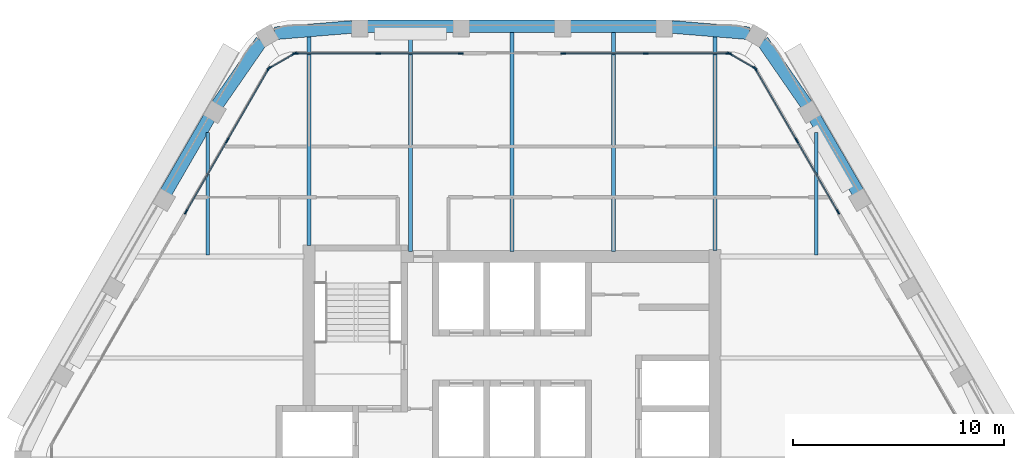
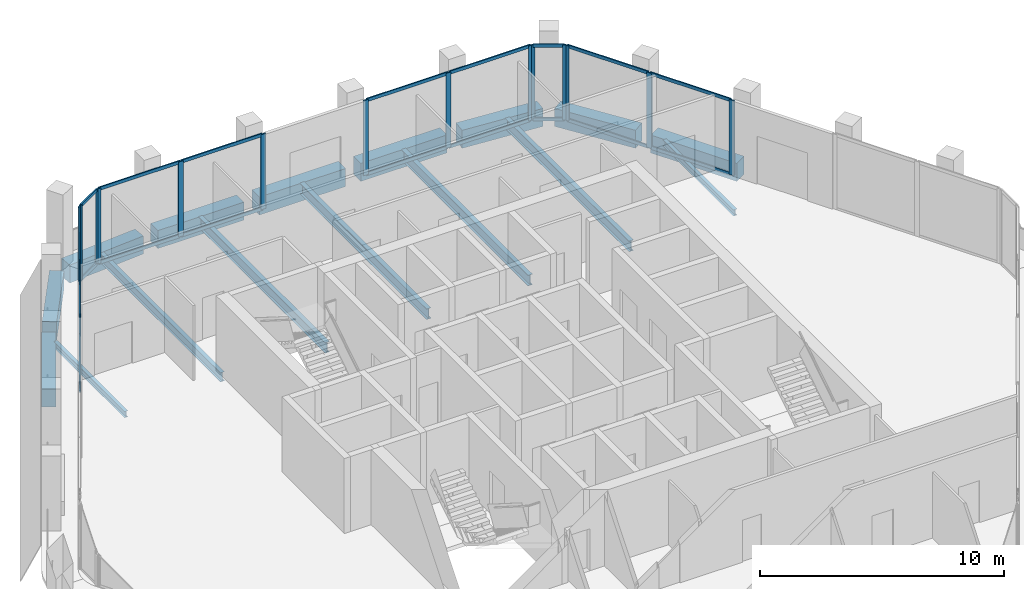
# One storey, part 5 of 14: 36 members, 16 beams, 6 elements without a shape of their own.
"""IFC4 building model written with IfcOpenShell, lengths in metres."""

from ifc_helpers import new_model, si_unit, direction, frame, origin, origin_2d, place, context, subcontext, project, spatial, rectangle, i_section, extrude, material, material_profile, profile_set, type_object, element, aggregate, save


model = new_model("IFC4")

# Units and contexts
model_context = context("Model", 3, precision=1e-05, world=origin(), true_north=direction((0.0, 1.0)))
body_context = subcontext(model_context, "Body", "Model", "MODEL_VIEW")
ifc_project = project(units=[si_unit("LENGTHUNIT", "METRE"), si_unit("AREAUNIT", "SQUARE_METRE"), si_unit("VOLUMEUNIT", "CUBIC_METRE"), si_unit("PLANEANGLEUNIT", "RADIAN"), si_unit("MASSUNIT", "GRAM", prefix="KILO")], contexts=[model_context])

# Site, building, storey
site_placement = place(None, origin())
site = spatial("IfcSite", under=ifc_project, at=site_placement, CompositionType="ELEMENT")
building_placement = place(site_placement, origin())
building = spatial("IfcBuilding", under=site, at=building_placement, Name="Kolab Exchange Tower", CompositionType="ELEMENT")
storey_placement = place(building_placement, frame((0.0, 0.0, 242.300048828125)))
storey = spatial("IfcBuildingStorey", under=building, at=storey_placement, Name="L53", CompositionType="ELEMENT", Elevation=242.300048828125)

# Beams
ifc_material_1 = material(Name="Steel S355", Category="steel")
ifc_material_profile_1 = material_profile(ifc_material_1, i_section(OverallWidth=0.1650390625, OverallDepth=0.31005859375, WebThickness=0.005859375, FlangeThickness=0.009765625, at=origin_2d()), Name="W310X39")
ifc_profile_set_1 = profile_set([ifc_material_profile_1], Name="Steel S355")
beam_type_1 = type_object("IfcBeamType", Name="FLOOR BEAM W310X39", PredefinedType="BEAM", material=ifc_profile_set_1)
for number, where, z_axis, x_axis, name in (
    (1, (-14.39990234375, 9.674072265625, -0.304931640625), (0.0, 1.0, 0.0), (-1.0, 0.0, 0.0), "beam/L53/fr/004"),
    (2, (14.39990234375, 9.674072265625, -0.304931640625), (0.0, 1.0, 0.0), (-1.0, 0.0, 0.0), "beam/L53/fr/019"),
):
    element("IfcBeam", number, at=place(storey_placement, frame(where, z_axis=z_axis, x_axis=x_axis)), inside=storey, type_object=beam_type_1, Name=name, PredefinedType="BEAM", context=body_context, shape_type="SweptSolid", body=[
        extrude(i_section(OverallWidth=0.1650390625, OverallDepth=0.31005859375, WebThickness=0.005859375, FlangeThickness=0.009765625, at=origin_2d()), origin(), (0.0, 0.0, 1.0), 5.793701171875),
    ])
ifc_material_profile_2 = material_profile(ifc_material_1, i_section(OverallWidth=0.18994140625, OverallDepth=0.45703125, WebThickness=0.009033203125, FlangeThickness=0.014404296875, at=origin_2d()), Name="W460X74")
ifc_profile_set_2 = profile_set([ifc_material_profile_2], Name="Steel S355")
beam_type_2 = type_object("IfcBeamType", Name="FLOOR BEAM W460X74", PredefinedType="BEAM", material=ifc_profile_set_2)
beam_1_placement = place(storey_placement, frame((-9.60009765625, 10.110107421875, -0.378662109375), z_axis=(0.0, 1.0, 0.0), x_axis=(-1.0, 0.0, 0.0)))
element("IfcBeam", 3, at=beam_1_placement, inside=storey, type_object=beam_type_2, Name="beam/L53/fr/006", PredefinedType="BEAM", context=body_context, shape_type="SweptSolid", body=[
    extrude(i_section(OverallWidth=0.18994140625, OverallDepth=0.45703125, WebThickness=0.009033203125, FlangeThickness=0.014404296875, at=origin_2d()), origin(), (0.0, 0.0, 1.0), 9.9169921875),
])
ifc_material_profile_3 = material_profile(ifc_material_1, i_section(OverallWidth=0.208984375, OverallDepth=0.532958984375, WebThickness=0.01025390625, FlangeThickness=0.015625, at=origin_2d()), Name="W530X92")
ifc_profile_set_3 = profile_set([ifc_material_profile_3], Name="Steel S355")
beam_type_3 = type_object("IfcBeamType", Name="FLOOR BEAM W530X92", PredefinedType="BEAM", material=ifc_profile_set_3)
for number, where, z_axis, x_axis, name in (
    (4, (-4.800048828125, 9.8349609375, -0.41650390625), (0.0, 1.0, 0.0), (-1.0, 0.0, 0.0), "beam/L53/fr/008"),
    (5, (0.0, 9.8349609375, -0.41650390625), (0.0, 1.0, 0.0), (-1.0, 0.0, 0.0), "beam/L53/fr/010"),
    (6, (4.800048828125, 9.8349609375, -0.41650390625), (0.0, 1.0, 0.0), (-1.0, 0.0, 0.0), "beam/L53/fr/012"),
):
    element("IfcBeam", number, at=place(storey_placement, frame(where, z_axis=z_axis, x_axis=x_axis)), inside=storey, type_object=beam_type_3, Name=name, PredefinedType="BEAM", context=body_context, shape_type="SweptSolid", body=[
        extrude(i_section(OverallWidth=0.208984375, OverallDepth=0.532958984375, WebThickness=0.01025390625, FlangeThickness=0.015625, at=origin_2d()), origin(), (0.0, 0.0, 1.0), 10.3896484375),
    ])
beam_2_placement = place(storey_placement, frame((9.60009765625, 9.885009765625, -0.41650390625), z_axis=(0.0, 1.0, 0.0), x_axis=(-1.0, 0.0, 0.0)))
element("IfcBeam", 7, at=beam_2_placement, inside=storey, type_object=beam_type_3, Name="beam/L53/fr/014", PredefinedType="BEAM", context=body_context, shape_type="SweptSolid", body=[
    extrude(i_section(OverallWidth=0.208984375, OverallDepth=0.532958984375, WebThickness=0.01025390625, FlangeThickness=0.015625, at=origin_2d()), origin(), (0.0, 0.0, 1.0), 10.14208984375),
])
ifc_material_2 = material(Name="Concrete C50/60", Category="concrete")
ifc_material_profile_4 = material_profile(ifc_material_2, rectangle(XDim=0.60009765625, YDim=0.89990234375, at=origin_2d()), Name="RC600X900")
ifc_profile_set_4 = profile_set([ifc_material_profile_4], Name="Concrete C50/60")
beam_type_4 = type_object("IfcBeamType", Name="SPANDREL BEAM 600X900 C50/60", PredefinedType="BEAM", material=ifc_profile_set_4)
beam_3_placement = place(storey_placement, frame((-11.216796875, 20.15576171875, -0.60009765625), z_axis=(0.996666751878, 0.081580547323, 0.0), x_axis=(-0.081580547323, 0.996666751878, 0.0)))
element("IfcBeam", 8, at=beam_3_placement, inside=storey, type_object=beam_type_4, Name="beam/L53/sp/F1-01", PredefinedType="BEAM", context=body_context, shape_type="SweptSolid", body=[
    extrude(rectangle(XDim=0.60009765625, YDim=0.89990234375, at=origin_2d()), origin(), (0.0, 0.0, 1.0), 3.6689453125),
])
for number, where, z_axis, x_axis, name in (
    (9, (-6.840087890625, 20.484619140625, -0.60009765625), (1.0, 0.0, 0.0), (0.0, 1.0, 0.0), "beam/L53/sp/F1-02"),
    (10, (-2.0400390625, 20.484619140625, -0.60009765625), (1.0, 0.0, 0.0), (0.0, 1.0, 0.0), "beam/L53/sp/F1-03"),
    (11, (2.760009765625, 20.484619140625, -0.60009765625), (1.0, 0.0, 0.0), (0.0, 1.0, 0.0), "beam/L53/sp/F1-04"),
):
    element("IfcBeam", number, at=place(storey_placement, frame(where, z_axis=z_axis, x_axis=x_axis)), inside=storey, type_object=beam_type_4, Name=name, PredefinedType="BEAM", context=body_context, shape_type="SweptSolid", body=[
        extrude(rectangle(XDim=0.60009765625, YDim=0.89990234375, at=origin_2d()), origin(), (0.0, 0.0, 1.0), 4.080078125),
    ])
for number, where, z_axis, x_axis, name in (
    (12, (7.56005859375, 20.455078125, -0.60009765625), (0.996666751878, -0.081580547323, 0.0), (0.081580547323, 0.996666751878, 0.0), "beam/L53/sp/F1-05"),
    (13, (11.846923828125, 19.7919921875, -0.60009765625), (0.569005808573, -0.822333502789, 0.0), (0.822333502789, 0.569005808573, 0.0), "beam/L53/sp/F2-01"),
):
    element("IfcBeam", number, at=place(storey_placement, frame(where, z_axis=z_axis, x_axis=x_axis)), inside=storey, type_object=beam_type_4, Name=name, PredefinedType="BEAM", context=body_context, shape_type="SweptSolid", body=[
        extrude(rectangle(XDim=0.60009765625, YDim=0.89990234375, at=origin_2d()), origin(), (0.0, 0.0, 1.0), 3.6689453125),
    ])
for number, where, z_axis, x_axis, name in (
    (14, (14.3203125, 16.166015625, -0.60009765625), (0.499955548806, -0.866051066172, 0.0), (0.866051066172, 0.499955548806, 0.0), "beam/L53/sp/F2-02"),
    (15, (-16.360107421875, 12.632568359375, -0.60009765625), (0.499955548806, 0.866051066172, 0.0), (-0.866051066172, 0.499955548806, 0.0), "beam/L53/sp/F6-04"),
):
    element("IfcBeam", number, at=place(storey_placement, frame(where, z_axis=z_axis, x_axis=x_axis)), inside=storey, type_object=beam_type_4, Name=name, PredefinedType="BEAM", context=body_context, shape_type="SweptSolid", body=[
        extrude(rectangle(XDim=0.60009765625, YDim=0.89990234375, at=origin_2d()), origin(), (0.0, 0.0, 1.0), 4.079833984375),
    ])
beam_4_placement = place(storey_placement, frame((-13.9345703125, 16.77490234375, -0.60009765625), z_axis=(0.569005808573, 0.822333502789, 0.0), x_axis=(-0.822333502789, 0.569005808573, 0.0)))
element("IfcBeam", 16, at=beam_4_placement, inside=storey, type_object=beam_type_4, Name="beam/L53/sp/F6-05", PredefinedType="BEAM", context=body_context, shape_type="SweptSolid", body=[
    extrude(rectangle(XDim=0.60009765625, YDim=0.89990234375, at=origin_2d()), origin(), (0.0, 0.0, 1.0), 3.6689453125),
])

# Curtain wall, members
ifc_material_3 = material(Name="Aluminium EN AW-6063 T6", Category="aluminium")
curtain_wall_type = type_object("IfcCurtainWallType", Name="UNITISED HIGH ZONE CURTAIN WALL", PredefinedType="NOTDEFINED", material=ifc_material_3)
curtain_wall_1_placement = place(storey_placement, origin())
curtain_wall_1 = element("IfcCurtainWall", 17, at=curtain_wall_1_placement, inside=storey, type_object=curtain_wall_type, Name="cw/L53/F1-1", PredefinedType="NOTDEFINED")
ifc_material_profile_5 = material_profile(ifc_material_3, rectangle(XDim=0.06005859375, YDim=0.239990234375, at=origin_2d()), Name="RECT 60X240")
ifc_profile_set_5 = profile_set([ifc_material_profile_5], Name="Aluminium EN AW-6063 T6")
member_type_1 = type_object("IfcMemberType", Name="UNITISED HIGH ZONE MULLION 60 X 240", PredefinedType="MULLION", material=ifc_profile_set_5)
member_1_placement = place(storey_placement, frame((-10.238037109375, 19.20458984375, 0.0), z_axis=(0.0, 0.0, 1.0), x_axis=(0.0, 1.0, 0.0)))
member_1 = element("IfcMember", 18, at=member_1_placement, type_object=member_type_1, Name="CW4 mullion 1", PredefinedType="MULLION", context=body_context, shape_type="SweptSolid", body=[
    extrude(rectangle(XDim=0.06005859375, YDim=0.239990234375, at=origin_2d()), origin(), (0.0, 0.0, 1.0), 3.75),
])
member_2_placement = place(storey_placement, frame((-6.333984375, 19.20458984375, 0.0), z_axis=(0.0, 0.0, 1.0), x_axis=(0.0, 1.0, 0.0)))
member_2 = element("IfcMember", 19, at=member_2_placement, type_object=member_type_1, Name="CW4 mullion 2", PredefinedType="MULLION", context=body_context, shape_type="SweptSolid", body=[
    extrude(rectangle(XDim=0.06005859375, YDim=0.239990234375, at=origin_2d()), origin(), (0.0, 0.0, 1.0), 3.75),
])
member_3_placement = place(storey_placement, frame((-2.429931640625, 19.20458984375, 0.0), z_axis=(0.0, 0.0, 1.0), x_axis=(0.0, 1.0, 0.0)))
member_3 = element("IfcMember", 20, at=member_3_placement, type_object=member_type_1, Name="CW4 mullion 3", PredefinedType="MULLION", context=body_context, shape_type="SweptSolid", body=[
    extrude(rectangle(XDim=0.06005859375, YDim=0.239990234375, at=origin_2d()), origin(), (0.0, 0.0, 1.0), 3.75),
])

curtain_wall_2_placement = place(storey_placement, origin())
curtain_wall_2 = element("IfcCurtainWall", 21, at=curtain_wall_2_placement, inside=storey, type_object=curtain_wall_type, Name="cw/L53/F1-2", PredefinedType="NOTDEFINED")
member_4_placement = place(storey_placement, frame((2.429931640625, 19.20458984375, 0.0), z_axis=(0.0, 0.0, 1.0), x_axis=(0.0, 1.0, 0.0)))
member_4 = element("IfcMember", 22, at=member_4_placement, type_object=member_type_1, Name="CW4 mullion 1", PredefinedType="MULLION", context=body_context, shape_type="SweptSolid", body=[
    extrude(rectangle(XDim=0.06005859375, YDim=0.239990234375, at=origin_2d()), origin(), (0.0, 0.0, 1.0), 3.75),
])
member_5_placement = place(storey_placement, frame((6.333984375, 19.20458984375, 0.0), z_axis=(0.0, 0.0, 1.0), x_axis=(0.0, 1.0, 0.0)))
member_5 = element("IfcMember", 23, at=member_5_placement, type_object=member_type_1, Name="CW4 mullion 2", PredefinedType="MULLION", context=body_context, shape_type="SweptSolid", body=[
    extrude(rectangle(XDim=0.06005859375, YDim=0.239990234375, at=origin_2d()), origin(), (0.0, 0.0, 1.0), 3.75),
])
member_6_placement = place(storey_placement, frame((10.238037109375, 19.20458984375, 0.0), z_axis=(0.0, 0.0, 1.0), x_axis=(0.0, 1.0, 0.0)))
member_6 = element("IfcMember", 24, at=member_6_placement, type_object=member_type_1, Name="CW4 mullion 3", PredefinedType="MULLION", context=body_context, shape_type="SweptSolid", body=[
    extrude(rectangle(XDim=0.06005859375, YDim=0.239990234375, at=origin_2d()), origin(), (0.0, 0.0, 1.0), 3.75),
])

curtain_wall_3_placement = place(storey_placement, origin())
curtain_wall_3 = element("IfcCurtainWall", 25, at=curtain_wall_3_placement, inside=storey, type_object=curtain_wall_type, Name="cw/L53/F2-1", PredefinedType="NOTDEFINED")
member_7_placement = place(storey_placement, frame((11.5126953125, 18.46875, 0.0), z_axis=(0.0, 0.0, 1.0), x_axis=(0.866025385493, 0.500000031681, 0.0)))
member_7 = element("IfcMember", 26, at=member_7_placement, type_object=member_type_1, Name="CW4 mullion 1", PredefinedType="MULLION", context=body_context, shape_type="SweptSolid", body=[
    extrude(rectangle(XDim=0.06005859375, YDim=0.239990234375, at=origin_2d()), origin(), (0.0, 0.0, 1.0), 3.75),
])
member_8_placement = place(storey_placement, frame((13.464599609375, 15.087646484375, 0.0), z_axis=(0.0, 0.0, 1.0), x_axis=(0.866025385493, 0.500000031681, 0.0)))
member_8 = element("IfcMember", 27, at=member_8_placement, type_object=member_type_1, Name="CW4 mullion 2", PredefinedType="MULLION", context=body_context, shape_type="SweptSolid", body=[
    extrude(rectangle(XDim=0.06005859375, YDim=0.239990234375, at=origin_2d()), origin(), (0.0, 0.0, 1.0), 3.75),
])
member_9_placement = place(storey_placement, frame((15.416748046875, 11.706787109375, 0.0), z_axis=(0.0, 0.0, 1.0), x_axis=(0.866025385493, 0.500000031681, 0.0)))
member_9 = element("IfcMember", 28, at=member_9_placement, type_object=member_type_1, Name="CW4 mullion 3", PredefinedType="MULLION", context=body_context, shape_type="SweptSolid", body=[
    extrude(rectangle(XDim=0.06005859375, YDim=0.239990234375, at=origin_2d()), origin(), (0.0, 0.0, 1.0), 3.75),
])

curtain_wall_4_placement = place(storey_placement, origin())
curtain_wall_4 = element("IfcCurtainWall", 29, at=curtain_wall_4_placement, inside=storey, type_object=curtain_wall_type, Name="cw/L53/F6-2", PredefinedType="NOTDEFINED")
member_10_placement = place(storey_placement, frame((-15.416748046875, 11.706787109375, 0.0), z_axis=(0.0, 0.0, 1.0), x_axis=(-0.866025385493, 0.500000031681, 0.0)))
member_10 = element("IfcMember", 30, at=member_10_placement, type_object=member_type_1, Name="CW4 mullion 1", PredefinedType="MULLION", context=body_context, shape_type="SweptSolid", body=[
    extrude(rectangle(XDim=0.06005859375, YDim=0.239990234375, at=origin_2d()), origin(), (0.0, 0.0, 1.0), 3.75),
])
member_11_placement = place(storey_placement, frame((-13.464599609375, 15.087646484375, 0.0), z_axis=(0.0, 0.0, 1.0), x_axis=(-0.866025385493, 0.500000031681, 0.0)))
member_11 = element("IfcMember", 31, at=member_11_placement, type_object=member_type_1, Name="CW4 mullion 2", PredefinedType="MULLION", context=body_context, shape_type="SweptSolid", body=[
    extrude(rectangle(XDim=0.06005859375, YDim=0.239990234375, at=origin_2d()), origin(), (0.0, 0.0, 1.0), 3.75),
])
member_12_placement = place(storey_placement, frame((-11.5126953125, 18.46875, 0.0), z_axis=(0.0, 0.0, 1.0), x_axis=(-0.866025385493, 0.500000031681, 0.0)))
member_12 = element("IfcMember", 32, at=member_12_placement, type_object=member_type_1, Name="CW4 mullion 3", PredefinedType="MULLION", context=body_context, shape_type="SweptSolid", body=[
    extrude(rectangle(XDim=0.06005859375, YDim=0.239990234375, at=origin_2d()), origin(), (0.0, 0.0, 1.0), 3.75),
])

curtain_wall_5_placement = place(storey_placement, origin())
curtain_wall_5 = element("IfcCurtainWall", 33, at=curtain_wall_5_placement, inside=storey, type_object=curtain_wall_type, Name="cw/L53/F1F2-corner", PredefinedType="NOTDEFINED")
member_13_placement = place(storey_placement, frame((10.2939453125, 19.189697265625, 0.0), z_axis=(0.0, 0.0, 1.0), x_axis=(0.50000002237, 0.866025390869, 0.0)))
member_13 = element("IfcMember", 34, at=member_13_placement, type_object=member_type_1, Name="CW4 mullion 1", PredefinedType="MULLION", context=body_context, shape_type="SweptSolid", body=[
    extrude(rectangle(XDim=0.06005859375, YDim=0.239990234375, at=origin_2d()), origin(), (0.0, 0.0, 1.0), 3.75),
])
member_14_placement = place(storey_placement, frame((11.4716796875, 18.509521484375, 0.0), z_axis=(0.0, 0.0, 1.0), x_axis=(0.50000002237, 0.866025390869, 0.0)))
member_14 = element("IfcMember", 35, at=member_14_placement, type_object=member_type_1, Name="CW4 mullion 2", PredefinedType="MULLION", context=body_context, shape_type="SweptSolid", body=[
    extrude(rectangle(XDim=0.06005859375, YDim=0.239990234375, at=origin_2d()), origin(), (0.0, 0.0, 1.0), 3.75),
])

curtain_wall_6_placement = place(storey_placement, origin())
curtain_wall_6 = element("IfcCurtainWall", 36, at=curtain_wall_6_placement, inside=storey, type_object=curtain_wall_type, Name="cw/L53/F6F1-corner", PredefinedType="NOTDEFINED")
member_15_placement = place(storey_placement, frame((-11.4716796875, 18.509521484375, 0.0), z_axis=(0.0, 0.0, 1.0), x_axis=(-0.50000002237, 0.866025390869, 0.0)))
member_15 = element("IfcMember", 37, at=member_15_placement, type_object=member_type_1, Name="CW4 mullion 1", PredefinedType="MULLION", context=body_context, shape_type="SweptSolid", body=[
    extrude(rectangle(XDim=0.06005859375, YDim=0.239990234375, at=origin_2d()), origin(), (0.0, 0.0, 1.0), 3.75),
])
member_16_placement = place(storey_placement, frame((-10.2939453125, 19.189697265625, 0.0), z_axis=(0.0, 0.0, 1.0), x_axis=(-0.50000002237, 0.866025390869, 0.0)))
member_16 = element("IfcMember", 38, at=member_16_placement, type_object=member_type_1, Name="CW4 mullion 2", PredefinedType="MULLION", context=body_context, shape_type="SweptSolid", body=[
    extrude(rectangle(XDim=0.06005859375, YDim=0.239990234375, at=origin_2d()), origin(), (0.0, 0.0, 1.0), 3.75),
])

# Member
ifc_material_profile_6 = material_profile(ifc_material_3, rectangle(XDim=0.06005859375, YDim=0.159912109375, at=origin_2d()), Name="RECT 60X160")
ifc_profile_set_6 = profile_set([ifc_material_profile_6], Name="Aluminium EN AW-6063 T6")
member_type_2 = type_object("IfcMemberType", Name="UNITISED HIGH ZONE TRANSOM 60 X 160", PredefinedType="USERDEFINED", material=ifc_profile_set_6)
member_17_placement = place(storey_placement, frame((-10.2080078125, 19.20458984375, 0.030029296875), z_axis=(1.0, 0.0, 0.0), x_axis=(0.0, 1.0, 0.0)))
member_17 = element("IfcMember", 39, at=member_17_placement, type_object=member_type_2, Name="CW4 transom 1.1", ObjectType="TRANSOM", PredefinedType="USERDEFINED", context=body_context, shape_type="SweptSolid", body=[
    extrude(rectangle(XDim=0.06005859375, YDim=0.159912109375, at=origin_2d()), origin(), (0.0, 0.0, 1.0), 3.843994140625),
])

member_18_placement = place(storey_placement, frame((-10.2080078125, 19.20458984375, 3.719970703125), z_axis=(1.0, 0.0, 0.0), x_axis=(0.0, 1.0, 0.0)))
member_18 = element("IfcMember", 40, at=member_18_placement, type_object=member_type_2, Name="CW4 transom 1.2", ObjectType="TRANSOM", PredefinedType="USERDEFINED", context=body_context, shape_type="SweptSolid", body=[
    extrude(rectangle(XDim=0.06005859375, YDim=0.159912109375, at=origin_2d()), origin(), (0.0, 0.0, 1.0), 3.843994140625),
])

member_19_placement = place(storey_placement, frame((-6.303955078125, 19.20458984375, 0.030029296875), z_axis=(1.0, 0.0, 0.0), x_axis=(0.0, 1.0, 0.0)))
member_19 = element("IfcMember", 41, at=member_19_placement, type_object=member_type_2, Name="CW4 transom 2.1", ObjectType="TRANSOM", PredefinedType="USERDEFINED", context=body_context, shape_type="SweptSolid", body=[
    extrude(rectangle(XDim=0.06005859375, YDim=0.159912109375, at=origin_2d()), origin(), (0.0, 0.0, 1.0), 3.843994140625),
])

member_20_placement = place(storey_placement, frame((-6.303955078125, 19.20458984375, 3.719970703125), z_axis=(1.0, 0.0, 0.0), x_axis=(0.0, 1.0, 0.0)))
member_20 = element("IfcMember", 42, at=member_20_placement, type_object=member_type_2, Name="CW4 transom 2.2", ObjectType="TRANSOM", PredefinedType="USERDEFINED", context=body_context, shape_type="SweptSolid", body=[
    extrude(rectangle(XDim=0.06005859375, YDim=0.159912109375, at=origin_2d()), origin(), (0.0, 0.0, 1.0), 3.843994140625),
])

aggregate(curtain_wall_1, [member_1, member_2, member_3, member_17, member_18, member_19, member_20])

member_21_placement = place(storey_placement, frame((2.4599609375, 19.20458984375, 0.030029296875), z_axis=(1.0, 0.0, 0.0), x_axis=(0.0, 1.0, 0.0)))
member_21 = element("IfcMember", 43, at=member_21_placement, type_object=member_type_2, Name="CW4 transom 1.1", ObjectType="TRANSOM", PredefinedType="USERDEFINED", context=body_context, shape_type="SweptSolid", body=[
    extrude(rectangle(XDim=0.06005859375, YDim=0.159912109375, at=origin_2d()), origin(), (0.0, 0.0, 1.0), 3.843994140625),
])

member_22_placement = place(storey_placement, frame((2.4599609375, 19.20458984375, 3.719970703125), z_axis=(1.0, 0.0, 0.0), x_axis=(0.0, 1.0, 0.0)))
member_22 = element("IfcMember", 44, at=member_22_placement, type_object=member_type_2, Name="CW4 transom 1.2", ObjectType="TRANSOM", PredefinedType="USERDEFINED", context=body_context, shape_type="SweptSolid", body=[
    extrude(rectangle(XDim=0.06005859375, YDim=0.159912109375, at=origin_2d()), origin(), (0.0, 0.0, 1.0), 3.843994140625),
])

member_23_placement = place(storey_placement, frame((6.364013671875, 19.20458984375, 0.030029296875), z_axis=(1.0, 0.0, 0.0), x_axis=(0.0, 1.0, 0.0)))
member_23 = element("IfcMember", 45, at=member_23_placement, type_object=member_type_2, Name="CW4 transom 2.1", ObjectType="TRANSOM", PredefinedType="USERDEFINED", context=body_context, shape_type="SweptSolid", body=[
    extrude(rectangle(XDim=0.06005859375, YDim=0.159912109375, at=origin_2d()), origin(), (0.0, 0.0, 1.0), 3.843994140625),
])

member_24_placement = place(storey_placement, frame((6.364013671875, 19.20458984375, 3.719970703125), z_axis=(1.0, 0.0, 0.0), x_axis=(0.0, 1.0, 0.0)))
member_24 = element("IfcMember", 46, at=member_24_placement, type_object=member_type_2, Name="CW4 transom 2.2", ObjectType="TRANSOM", PredefinedType="USERDEFINED", context=body_context, shape_type="SweptSolid", body=[
    extrude(rectangle(XDim=0.06005859375, YDim=0.159912109375, at=origin_2d()), origin(), (0.0, 0.0, 1.0), 3.843994140625),
])

aggregate(curtain_wall_2, [member_4, member_5, member_6, member_21, member_22, member_23, member_24])

member_25_placement = place(storey_placement, frame((11.527587890625, 18.442626953125, 0.030029296875), z_axis=(0.500039492609, -0.866002601515, 0.0), x_axis=(0.866002601515, 0.500039492609, 0.0)))
member_25 = element("IfcMember", 47, at=member_25_placement, type_object=member_type_2, Name="CW4 transom 1.1", ObjectType="TRANSOM", PredefinedType="USERDEFINED", context=body_context, shape_type="SweptSolid", body=[
    extrude(rectangle(XDim=0.06005859375, YDim=0.159912109375, at=origin_2d()), origin(), (0.0, 0.0, 1.0), 3.843994140625),
])

member_26_placement = place(storey_placement, frame((11.527587890625, 18.442626953125, 3.719970703125), z_axis=(0.500039492609, -0.866002601515, 0.0), x_axis=(0.866002601515, 0.500039492609, 0.0)))
member_26 = element("IfcMember", 48, at=member_26_placement, type_object=member_type_2, Name="CW4 transom 1.2", ObjectType="TRANSOM", PredefinedType="USERDEFINED", context=body_context, shape_type="SweptSolid", body=[
    extrude(rectangle(XDim=0.06005859375, YDim=0.159912109375, at=origin_2d()), origin(), (0.0, 0.0, 1.0), 3.843994140625),
])

member_27_placement = place(storey_placement, frame((13.479736328125, 15.061767578125, 0.030029296875), z_axis=(0.499964356602, -0.866045981532, 0.0), x_axis=(0.866045981532, 0.499964356602, 0.0)))
member_27 = element("IfcMember", 49, at=member_27_placement, type_object=member_type_2, Name="CW4 transom 2.1", ObjectType="TRANSOM", PredefinedType="USERDEFINED", context=body_context, shape_type="SweptSolid", body=[
    extrude(rectangle(XDim=0.06005859375, YDim=0.159912109375, at=origin_2d()), origin(), (0.0, 0.0, 1.0), 3.843994140625),
])

member_28_placement = place(storey_placement, frame((13.479736328125, 15.061767578125, 3.719970703125), z_axis=(0.499964356602, -0.866045981532, 0.0), x_axis=(0.866045981532, 0.499964356602, 0.0)))
member_28 = element("IfcMember", 50, at=member_28_placement, type_object=member_type_2, Name="CW4 transom 2.2", ObjectType="TRANSOM", PredefinedType="USERDEFINED", context=body_context, shape_type="SweptSolid", body=[
    extrude(rectangle(XDim=0.06005859375, YDim=0.159912109375, at=origin_2d()), origin(), (0.0, 0.0, 1.0), 3.843994140625),
])

aggregate(curtain_wall_3, [member_7, member_8, member_9, member_25, member_26, member_27, member_28])

member_29_placement = place(storey_placement, frame((-15.401611328125, 11.732666015625, 0.030029296875), z_axis=(0.499964356602, 0.866045981532, 0.0), x_axis=(-0.866045981532, 0.499964356602, 0.0)))
member_29 = element("IfcMember", 51, at=member_29_placement, type_object=member_type_2, Name="CW4 transom 1.1", ObjectType="TRANSOM", PredefinedType="USERDEFINED", context=body_context, shape_type="SweptSolid", body=[
    extrude(rectangle(XDim=0.06005859375, YDim=0.159912109375, at=origin_2d()), origin(), (0.0, 0.0, 1.0), 3.843994140625),
])

member_30_placement = place(storey_placement, frame((-15.401611328125, 11.732666015625, 3.719970703125), z_axis=(0.499964356602, 0.866045981532, 0.0), x_axis=(-0.866045981532, 0.499964356602, 0.0)))
member_30 = element("IfcMember", 52, at=member_30_placement, type_object=member_type_2, Name="CW4 transom 1.2", ObjectType="TRANSOM", PredefinedType="USERDEFINED", context=body_context, shape_type="SweptSolid", body=[
    extrude(rectangle(XDim=0.06005859375, YDim=0.159912109375, at=origin_2d()), origin(), (0.0, 0.0, 1.0), 3.843994140625),
])

member_31_placement = place(storey_placement, frame((-13.44970703125, 15.11376953125, 0.030029296875), z_axis=(0.500039492609, 0.866002601515, 0.0), x_axis=(-0.866002601515, 0.500039492609, 0.0)))
member_31 = element("IfcMember", 53, at=member_31_placement, type_object=member_type_2, Name="CW4 transom 2.1", ObjectType="TRANSOM", PredefinedType="USERDEFINED", context=body_context, shape_type="SweptSolid", body=[
    extrude(rectangle(XDim=0.06005859375, YDim=0.159912109375, at=origin_2d()), origin(), (0.0, 0.0, 1.0), 3.843994140625),
])

member_32_placement = place(storey_placement, frame((-13.44970703125, 15.11376953125, 3.719970703125), z_axis=(0.500039492609, 0.866002601515, 0.0), x_axis=(-0.866002601515, 0.500039492609, 0.0)))
member_32 = element("IfcMember", 54, at=member_32_placement, type_object=member_type_2, Name="CW4 transom 2.2", ObjectType="TRANSOM", PredefinedType="USERDEFINED", context=body_context, shape_type="SweptSolid", body=[
    extrude(rectangle(XDim=0.06005859375, YDim=0.159912109375, at=origin_2d()), origin(), (0.0, 0.0, 1.0), 3.843994140625),
])

aggregate(curtain_wall_4, [member_10, member_11, member_12, member_29, member_30, member_31, member_32])

member_33_placement = place(storey_placement, frame((10.31982421875, 19.174560546875, 0.030029296875), z_axis=(0.866085525409, -0.49989585183, 0.0), x_axis=(0.49989585183, 0.866085525409, 0.0)))
member_33 = element("IfcMember", 55, at=member_33_placement, type_object=member_type_2, Name="CW4 transom 1.1", ObjectType="TRANSOM", PredefinedType="USERDEFINED", context=body_context, shape_type="SweptSolid", body=[
    extrude(rectangle(XDim=0.06005859375, YDim=0.159912109375, at=origin_2d()), origin(), (0.0, 0.0, 1.0), 1.300048828125),
])

member_34_placement = place(storey_placement, frame((10.31982421875, 19.174560546875, 3.719970703125), z_axis=(0.866085525409, -0.49989585183, 0.0), x_axis=(0.49989585183, 0.866085525409, 0.0)))
member_34 = element("IfcMember", 56, at=member_34_placement, type_object=member_type_2, Name="CW4 transom 1.2", ObjectType="TRANSOM", PredefinedType="USERDEFINED", context=body_context, shape_type="SweptSolid", body=[
    extrude(rectangle(XDim=0.06005859375, YDim=0.159912109375, at=origin_2d()), origin(), (0.0, 0.0, 1.0), 1.300048828125),
])

aggregate(curtain_wall_5, [member_13, member_14, member_33, member_34])

member_35_placement = place(storey_placement, frame((-11.44580078125, 18.524658203125, 0.030029296875), z_axis=(0.866085525409, 0.49989585183, 0.0), x_axis=(-0.49989585183, 0.866085525409, 0.0)))
member_35 = element("IfcMember", 57, at=member_35_placement, type_object=member_type_2, Name="CW4 transom 1.1", ObjectType="TRANSOM", PredefinedType="USERDEFINED", context=body_context, shape_type="SweptSolid", body=[
    extrude(rectangle(XDim=0.06005859375, YDim=0.159912109375, at=origin_2d()), origin(), (0.0, 0.0, 1.0), 1.300048828125),
])

member_36_placement = place(storey_placement, frame((-11.44580078125, 18.524658203125, 3.719970703125), z_axis=(0.866085525409, 0.49989585183, 0.0), x_axis=(-0.49989585183, 0.866085525409, 0.0)))
member_36 = element("IfcMember", 58, at=member_36_placement, type_object=member_type_2, Name="CW4 transom 1.2", ObjectType="TRANSOM", PredefinedType="USERDEFINED", context=body_context, shape_type="SweptSolid", body=[
    extrude(rectangle(XDim=0.06005859375, YDim=0.159912109375, at=origin_2d()), origin(), (0.0, 0.0, 1.0), 1.300048828125),
])

aggregate(curtain_wall_6, [member_15, member_16, member_35, member_36])

save(model, "model.ifc")
